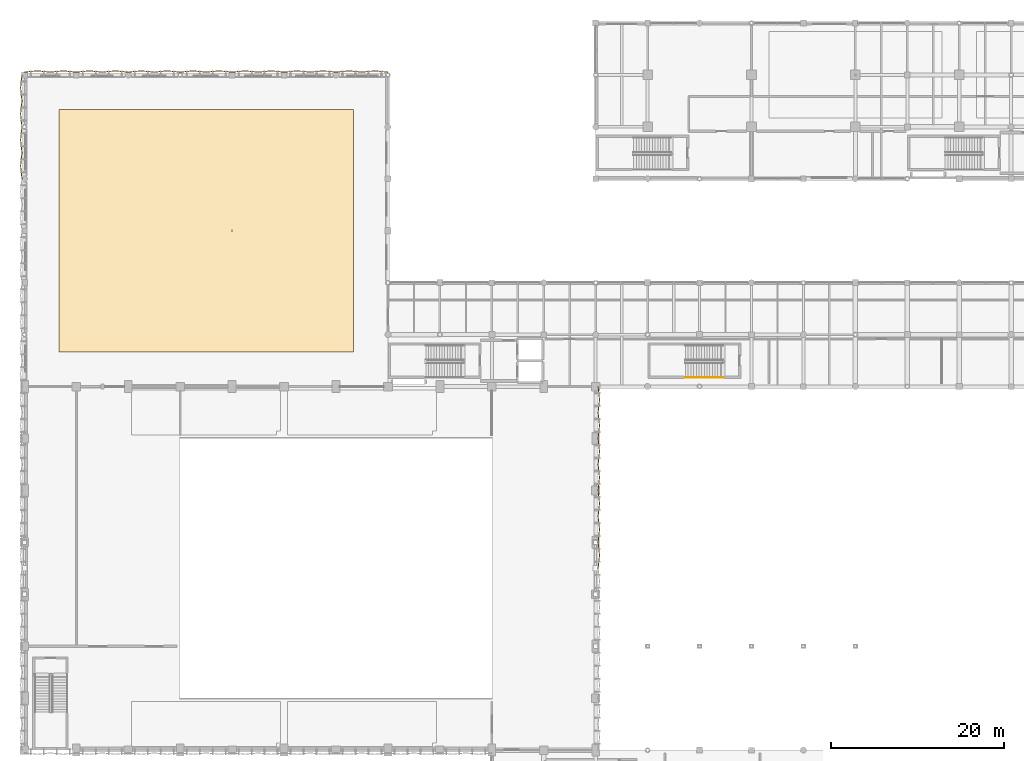
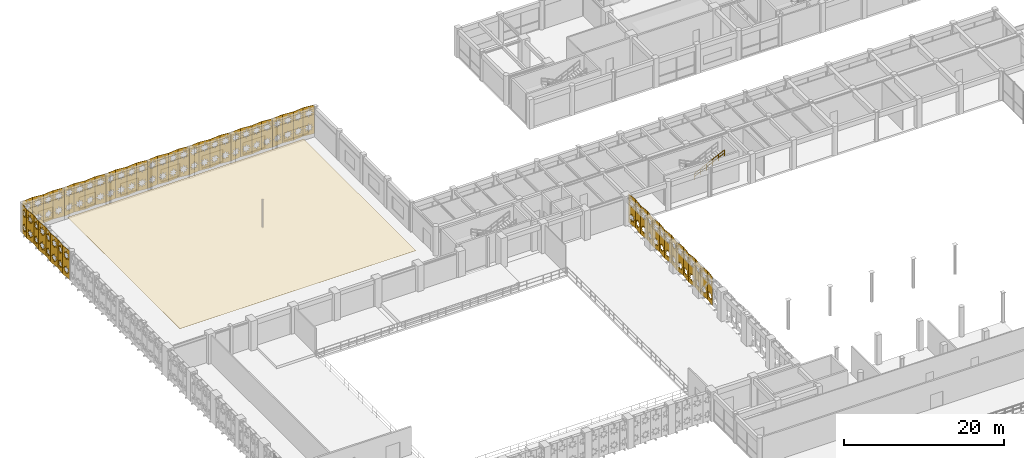
# One storey, part 112 of 116: 51 coverings, 1 railing.
"""IFC4 building model written with IfcOpenShell, lengths in metres."""

from ifc_helpers import new_model, si_unit, direction, frame, origin, origin_2d, place, context, subcontext, project, spatial, polyline, circle, outline, extrude, material, layer, layer_set, type_object, element, save


model = new_model("IFC4")

# Units and contexts
model_context = context("Model", 3, precision=1e-05, world=origin(), true_north=direction((0.0, 1.0)))
body_context = subcontext(model_context, "Body", "Model", "MODEL_VIEW")
ifc_project = project(units=[si_unit("LENGTHUNIT", "METRE"), si_unit("AREAUNIT", "SQUARE_METRE"), si_unit("VOLUMEUNIT", "CUBIC_METRE"), si_unit("PLANEANGLEUNIT", "RADIAN"), si_unit("MASSUNIT", "GRAM", prefix="KILO"), si_unit("THERMODYNAMICTEMPERATUREUNIT", "KELVIN"), si_unit("POWERUNIT", "WATT")], contexts=[model_context])

# Site, building, storey
site_placement = place(None, origin())
site = spatial("IfcSite", under=ifc_project, at=site_placement, CompositionType="ELEMENT")
building_placement = place(site_placement, origin())
building = spatial("IfcBuilding", under=site, at=building_placement, Name="Phaisarnlok Congress Hotel", CompositionType="ELEMENT")
storey_placement = place(building_placement, frame((0.0, 0.0, 10.5)))
storey = spatial("IfcBuildingStorey", under=building, at=storey_placement, Name="L02", CompositionType="ELEMENT", Elevation=10.5)

# Coverings
ifc_material_1 = material(Name="Perforated Timber & Mineral-Fibre Acoustic Ceiling", Category="wood")
ifc_layer_1 = layer(ifc_material_1, 0.01806640625, Name="Perforated Timber & Mineral-Fibre Acoustic Ceiling")
ifc_layer_set_1 = layer_set([ifc_layer_1], Name="Perforated Timber & Mineral-Fibre Acoustic Ceiling")
covering_type_1 = type_object("IfcCoveringType", Name="CLG-AC-18", PredefinedType="CEILING", material=ifc_layer_set_1)
covering_placement = place(storey_placement, frame((0.0, 0.0, 3.199951171875)))
element("IfcCovering", 1, at=covering_placement, inside=storey, type_object=covering_type_1, Name="Suspended ceiling CLG-01 (L02)", PredefinedType="CEILING", context=body_context, shape_type="SweptSolid", body=[
    extrude(outline(polyline([(4.0, 116.0), (38.0, 116.0), (38.0, 88.0), (4.0, 88.0), (4.0, 116.0)])), origin(), (0.0, 0.0, 1.0), 0.01806640625),
])
ifc_material_2 = material(Name="PVDF White Perforated Aluminium Alloy 5052", Category="aluminium")
ifc_layer_2 = layer(ifc_material_2, 0.0400390625, Name="PVDF White Perforated Aluminium Alloy 5052")
ifc_layer_set_2 = layer_set([ifc_layer_2], Name="PVDF White Perforated Aluminium Alloy 5052")
covering_type_2 = type_object("IfcCoveringType", Name="COV-STAR-FOLD", PredefinedType="CLADDING", material=ifc_layer_set_2)
for number, where, z_axis, x_axis, name in (
    (2, (66.457763671875, 64.5, 0.06005859375), (-0.994517863207, 0.104566819602, 0.0), (-0.104566819602, -0.994517863207, 0.0), "Folded star-perforated hall screen SS-02 (V1E L02)"),
    (3, (66.300048828125, 66.0, 0.06005859375), (-0.994517863207, -0.104566819602, 0.0), (0.104566819602, -0.994517863207, 0.0), "Folded star-perforated hall screen SS-02 (V1E L02)"),
    (4, (66.457763671875, 67.5, 0.06005859375), (-0.994517863207, 0.104566819602, 0.0), (-0.104566819602, -0.994517863207, 0.0), "Folded star-perforated hall screen SS-02 (V1E L02)"),
    (5, (66.300048828125, 69.0, 0.06005859375), (-0.994517863207, -0.104566819602, 0.0), (0.104566819602, -0.994517863207, 0.0), "Folded star-perforated hall screen SS-02 (V1E L02)"),
    (6, (66.457763671875, 70.5, 0.06005859375), (-0.994517863207, 0.104566819602, 0.0), (-0.104566819602, -0.994517863207, 0.0), "Folded star-perforated hall screen SS-02 (V1E L02)"),
    (7, (66.300048828125, 72.0, 0.06005859375), (-0.994517863207, -0.104566819602, 0.0), (0.104566819602, -0.994517863207, 0.0), "Folded star-perforated hall screen SS-02 (V1E L02)"),
    (8, (66.457763671875, 73.5, 0.06005859375), (-0.994517863207, 0.104566819602, 0.0), (-0.104566819602, -0.994517863207, 0.0), "Folded star-perforated hall screen SS-02 (V1E L02)"),
    (9, (66.300048828125, 75.0, 0.06005859375), (-0.994517863207, -0.104566819602, 0.0), (0.104566819602, -0.994517863207, 0.0), "Folded star-perforated hall screen SS-02 (V1E L02)"),
    (10, (66.457763671875, 76.5, 0.06005859375), (-0.994517863207, 0.104566819602, 0.0), (-0.104566819602, -0.994517863207, 0.0), "Folded star-perforated hall screen SS-02 (V1E L02)"),
    (11, (66.300048828125, 78.0, 0.06005859375), (-0.994517863207, -0.104566819602, 0.0), (0.104566819602, -0.994517863207, 0.0), "Folded star-perforated hall screen SS-02 (V1E L02)"),
    (12, (66.457763671875, 79.5, 0.06005859375), (-0.994517863207, 0.104566819602, 0.0), (-0.104566819602, -0.994517863207, 0.0), "Folded star-perforated hall screen SS-02 (V1E L02)"),
    (13, (66.300048828125, 81.0, 0.06005859375), (-0.994517863207, -0.104566819602, 0.0), (0.104566819602, -0.994517863207, 0.0), "Folded star-perforated hall screen SS-02 (V1E L02)"),
    (14, (66.457763671875, 82.5, 0.06005859375), (-0.994517863207, 0.104566819602, 0.0), (-0.104566819602, -0.994517863207, 0.0), "Folded star-perforated hall screen SS-02 (V1E L02)"),
    (15, (66.300048828125, 84.0, 0.06005859375), (-0.994517863207, -0.104566819602, 0.0), (0.104566819602, -0.994517863207, 0.0), "Folded star-perforated hall screen SS-02 (V1E L02)"),
    (16, (-0.300048828125, 108.0, 0.06005859375), (0.994517863207, 0.104566819602, 0.0), (-0.104566819602, 0.994517863207, 0.0), "Folded star-perforated hall screen SS-02 (V3W L02)"),
    (17, (-0.457763671875, 109.5, 0.06005859375), (0.994517863207, -0.104566819602, 0.0), (0.104566819602, 0.994517863207, 0.0), "Folded star-perforated hall screen SS-02 (V3W L02)"),
    (18, (-0.300048828125, 111.0, 0.06005859375), (0.994517863207, 0.104566819602, 0.0), (-0.104566819602, 0.994517863207, 0.0), "Folded star-perforated hall screen SS-02 (V3W L02)"),
    (19, (-0.457763671875, 112.5, 0.06005859375), (0.994517863207, -0.104566819602, 0.0), (0.104566819602, 0.994517863207, 0.0), "Folded star-perforated hall screen SS-02 (V3W L02)"),
    (20, (-0.300048828125, 114.0, 0.06005859375), (0.994517863207, 0.104566819602, 0.0), (-0.104566819602, 0.994517863207, 0.0), "Folded star-perforated hall screen SS-02 (V3W L02)"),
    (21, (-0.457763671875, 115.5, 0.06005859375), (0.994517863207, -0.104566819602, 0.0), (0.104566819602, 0.994517863207, 0.0), "Folded star-perforated hall screen SS-02 (V3W L02)"),
    (22, (-0.300048828125, 117.0, 0.06005859375), (0.994517863207, 0.104566819602, 0.0), (-0.104566819602, 0.994517863207, 0.0), "Folded star-perforated hall screen SS-02 (V3W L02)"),
    (23, (-0.457763671875, 118.5, 0.06005859375), (0.994517863207, -0.104566819602, 0.0), (0.104566819602, 0.994517863207, 0.0), "Folded star-perforated hall screen SS-02 (V3W L02)"),
    (24, (1.5, 120.457763671875, 0.06005859375), (-0.104566819602, 0.994517863207, 0.0), (-0.994517863207, -0.104566819602, 0.0), "Folded star-perforated hall screen SS-02 (V3N L02)"),
    (25, (3.0, 120.300048828125, 0.06005859375), (0.104566819602, 0.994517863207, 0.0), (-0.994517863207, 0.104566819602, 0.0), "Folded star-perforated hall screen SS-02 (V3N L02)"),
    (26, (4.5, 120.457763671875, 0.06005859375), (-0.104566819602, 0.994517863207, 0.0), (-0.994517863207, -0.104566819602, 0.0), "Folded star-perforated hall screen SS-02 (V3N L02)"),
    (27, (6.0, 120.300048828125, 0.06005859375), (0.104566819602, 0.994517863207, 0.0), (-0.994517863207, 0.104566819602, 0.0), "Folded star-perforated hall screen SS-02 (V3N L02)"),
    (28, (7.5, 120.457763671875, 0.06005859375), (-0.104566819602, 0.994517863207, 0.0), (-0.994517863207, -0.104566819602, 0.0), "Folded star-perforated hall screen SS-02 (V3N L02)"),
    (29, (9.0, 120.300048828125, 0.06005859375), (0.104566819602, 0.994517863207, 0.0), (-0.994517863207, 0.104566819602, 0.0), "Folded star-perforated hall screen SS-02 (V3N L02)"),
    (30, (10.5, 120.457763671875, 0.06005859375), (-0.104566819602, 0.994517863207, 0.0), (-0.994517863207, -0.104566819602, 0.0), "Folded star-perforated hall screen SS-02 (V3N L02)"),
    (31, (12.0, 120.300048828125, 0.06005859375), (0.104566819602, 0.994517863207, 0.0), (-0.994517863207, 0.104566819602, 0.0), "Folded star-perforated hall screen SS-02 (V3N L02)"),
    (32, (13.5, 120.457763671875, 0.06005859375), (-0.104566819602, 0.994517863207, 0.0), (-0.994517863207, -0.104566819602, 0.0), "Folded star-perforated hall screen SS-02 (V3N L02)"),
    (33, (15.0, 120.300048828125, 0.06005859375), (0.104566819602, 0.994517863207, 0.0), (-0.994517863207, 0.104566819602, 0.0), "Folded star-perforated hall screen SS-02 (V3N L02)"),
    (34, (16.5, 120.457763671875, 0.06005859375), (-0.104566819602, 0.994517863207, 0.0), (-0.994517863207, -0.104566819602, 0.0), "Folded star-perforated hall screen SS-02 (V3N L02)"),
    (35, (18.0, 120.300048828125, 0.06005859375), (0.104566819602, 0.994517863207, 0.0), (-0.994517863207, 0.104566819602, 0.0), "Folded star-perforated hall screen SS-02 (V3N L02)"),
    (36, (19.5, 120.457763671875, 0.06005859375), (-0.104566819602, 0.994517863207, 0.0), (-0.994517863207, -0.104566819602, 0.0), "Folded star-perforated hall screen SS-02 (V3N L02)"),
    (37, (21.0, 120.300048828125, 0.06005859375), (0.104566819602, 0.994517863207, 0.0), (-0.994517863207, 0.104566819602, 0.0), "Folded star-perforated hall screen SS-02 (V3N L02)"),
    (38, (22.5, 120.457763671875, 0.06005859375), (-0.104566819602, 0.994517863207, 0.0), (-0.994517863207, -0.104566819602, 0.0), "Folded star-perforated hall screen SS-02 (V3N L02)"),
    (39, (24.0, 120.300048828125, 0.06005859375), (0.104566819602, 0.994517863207, 0.0), (-0.994517863207, 0.104566819602, 0.0), "Folded star-perforated hall screen SS-02 (V3N L02)"),
    (40, (25.5, 120.457763671875, 0.06005859375), (-0.104566819602, 0.994517863207, 0.0), (-0.994517863207, -0.104566819602, 0.0), "Folded star-perforated hall screen SS-02 (V3N L02)"),
    (41, (27.0, 120.300048828125, 0.06005859375), (0.104566819602, 0.994517863207, 0.0), (-0.994517863207, 0.104566819602, 0.0), "Folded star-perforated hall screen SS-02 (V3N L02)"),
    (42, (28.5, 120.457763671875, 0.06005859375), (-0.104566819602, 0.994517863207, 0.0), (-0.994517863207, -0.104566819602, 0.0), "Folded star-perforated hall screen SS-02 (V3N L02)"),
    (43, (30.0, 120.300048828125, 0.06005859375), (0.104566819602, 0.994517863207, 0.0), (-0.994517863207, 0.104566819602, 0.0), "Folded star-perforated hall screen SS-02 (V3N L02)"),
    (44, (31.5, 120.457763671875, 0.06005859375), (-0.104566819602, 0.994517863207, 0.0), (-0.994517863207, -0.104566819602, 0.0), "Folded star-perforated hall screen SS-02 (V3N L02)"),
    (45, (33.0, 120.300048828125, 0.06005859375), (0.104566819602, 0.994517863207, 0.0), (-0.994517863207, 0.104566819602, 0.0), "Folded star-perforated hall screen SS-02 (V3N L02)"),
    (46, (34.5, 120.457763671875, 0.06005859375), (-0.104566819602, 0.994517863207, 0.0), (-0.994517863207, -0.104566819602, 0.0), "Folded star-perforated hall screen SS-02 (V3N L02)"),
    (47, (36.0, 120.300048828125, 0.06005859375), (0.104566819602, 0.994517863207, 0.0), (-0.994517863207, 0.104566819602, 0.0), "Folded star-perforated hall screen SS-02 (V3N L02)"),
    (48, (37.5, 120.457763671875, 0.06005859375), (-0.104566819602, 0.994517863207, 0.0), (-0.994517863207, -0.104566819602, 0.0), "Folded star-perforated hall screen SS-02 (V3N L02)"),
    (49, (39.0, 120.300048828125, 0.06005859375), (0.104566819602, 0.994517863207, 0.0), (-0.994517863207, 0.104566819602, 0.0), "Folded star-perforated hall screen SS-02 (V3N L02)"),
    (50, (40.5, 120.457763671875, 0.06005859375), (-0.104566819602, 0.994517863207, 0.0), (-0.994517863207, -0.104566819602, 0.0), "Folded star-perforated hall screen SS-02 (V3N L02)"),
    (51, (42.0, 120.300048828125, 0.06005859375), (0.104566819602, 0.994517863207, 0.0), (-0.994517863207, 0.104566819602, 0.0), "Folded star-perforated hall screen SS-02 (V3N L02)"),
):
    element("IfcCovering", number, at=place(storey_placement, frame(where, z_axis=z_axis, x_axis=x_axis)), inside=storey, type_object=covering_type_2, Name=name, PredefinedType="CLADDING", context=body_context, shape_type="SweptSolid", body=[
        extrude(outline(polyline([(0.0, 0.0), (1.5082685344258453, 0.0), (1.5082685344258453, 4.35986328125), (0.0, 4.35986328125), (0.0, 0.0)]), holes=[polyline([(1.0351, 0.9736), (1.2021, 0.6421), (0.8705, 0.8091), (0.7541, 0.4565), (0.6378, 0.8091), (0.3062, 0.6421), (0.4732, 0.9736), (0.1207, 1.09), (0.4732, 1.2064), (0.3062, 1.5379), (0.6378, 1.3709), (0.7541, 1.7235), (0.8705, 1.3709), (1.2021, 1.5379), (1.0351, 1.2064), (1.3876, 1.09), (1.0351, 0.9736)]), polyline([(1.0351, 3.1536), (1.2021, 2.8221), (0.8705, 2.9891), (0.7541, 2.6365), (0.6378, 2.9891), (0.3062, 2.8221), (0.4732, 3.1536), (0.1207, 3.27), (0.4732, 3.3864), (0.3062, 3.7179), (0.6378, 3.5509), (0.7541, 3.9035), (0.8705, 3.5509), (1.2021, 3.7179), (1.0351, 3.3864), (1.3876, 3.27), (1.0351, 3.1536)])]), origin(), (0.0, 0.0, 1.0), 0.0400390625),
    ])

# Railing
ifc_material_3 = material(Name="Brushed Stainless Steel Grade 304", Category="steel")
railing_type = type_object("IfcRailingType", Name="RLG-STR-HRAIL", PredefinedType="HANDRAIL", material=ifc_material_3)
railing_placement = place(storey_placement, frame((76.3798828125, 85.050048828125, 2.39990234375)))
element("IfcRailing", 52, at=railing_placement, inside=storey, type_object=railing_type, Name="L02 ST-11 stair handrail 2", PredefinedType="HANDRAIL", context=body_context, shape_type="SweptSolid", body=[
    extrude(circle(Radius=0.02392578125, at=origin_2d()), frame((0.0, 0.0, 0.8759765625), z_axis=(0.900154768424, 0.0, 0.435570192832), x_axis=(0.0, 1.0, 0.0)), (0.0, 0.0, 1.0), 4.821533203125),
    extrude(circle(Radius=0.02392578125, at=origin_2d()), frame((0.0, 0.0, 0.42578125), z_axis=(0.900154768424, 0.0, 0.435570192832), x_axis=(0.0, 1.0, 0.0)), (0.0, 0.0, 1.0), 4.821533203125),
    extrude(circle(Radius=0.02099609375, at=origin_2d()), origin(), (0.0, 0.0, 1.0), 0.851806640625),
    extrude(circle(Radius=0.02099609375, at=origin_2d()), frame((0.867919921875, 0.0, 0.419921875)), (0.0, 0.0, 1.0), 0.851806640625),
    extrude(circle(Radius=0.02099609375, at=origin_2d()), frame((1.736083984375, 0.0, 0.840087890625)), (0.0, 0.0, 1.0), 0.851806640625),
    extrude(circle(Radius=0.02099609375, at=origin_2d()), frame((2.60400390625, 0.0, 1.260009765625)), (0.0, 0.0, 1.0), 0.851806640625),
    extrude(circle(Radius=0.02099609375, at=origin_2d()), frame((3.47216796875, 0.0, 1.68017578125)), (0.0, 0.0, 1.0), 0.851806640625),
    extrude(circle(Radius=0.02099609375, at=origin_2d()), frame((4.340087890625, 0.0, 2.10009765625)), (0.0, 0.0, 1.0), 0.851806640625),
])

save(model, "model.ifc")
